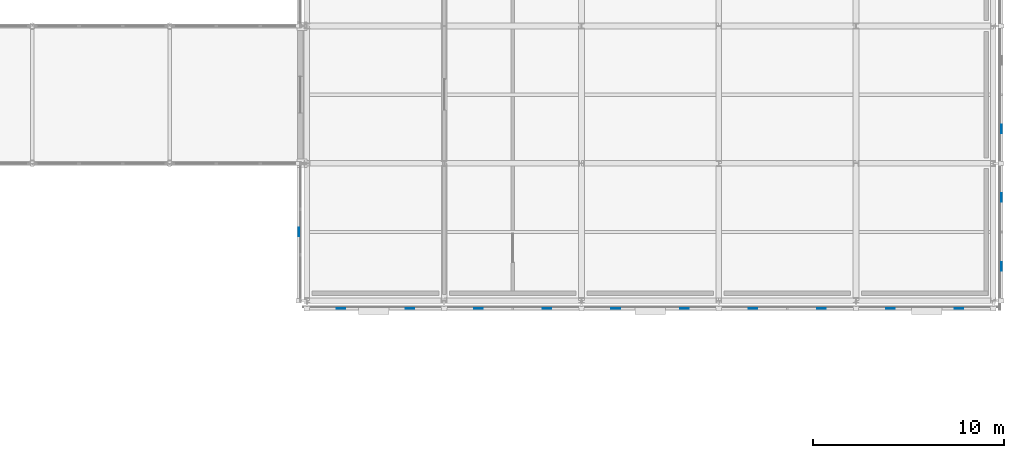
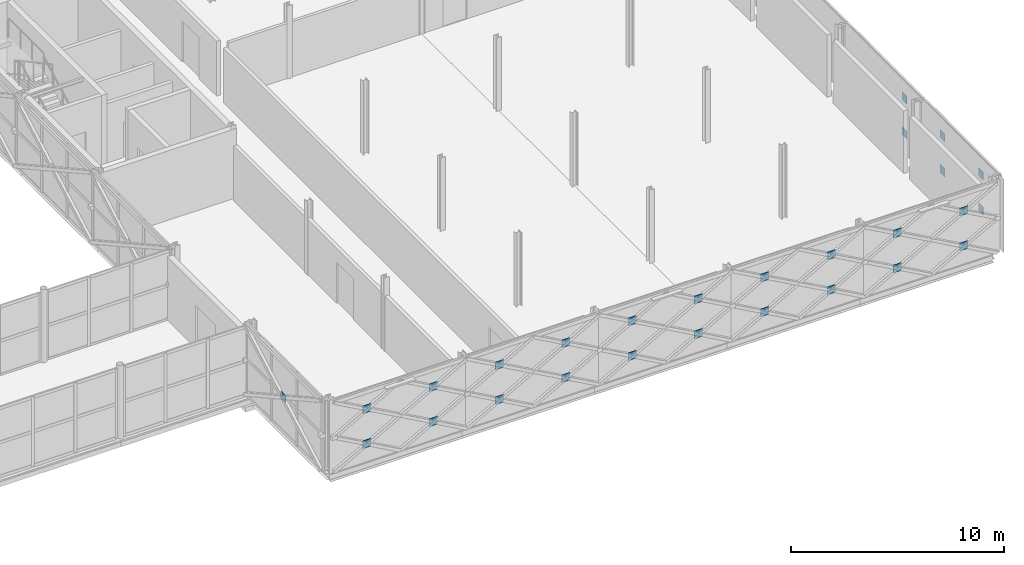
# One storey, part 112 of 146: 27 plates.
"""IFC4 building model written with IfcOpenShell, lengths in metres."""

from ifc_helpers import new_model, si_unit, direction, frame, origin, origin_2d, place, context, subcontext, project, spatial, rectangle, extrude, material, layer, layer_set, type_object, element, save


model = new_model("IFC4")

# Units and contexts
model_context = context("Model", 3, precision=1e-05, world=origin(), true_north=direction((0.0, 1.0)))
body_context = subcontext(model_context, "Body", "Model", "MODEL_VIEW")
ifc_project = project(units=[si_unit("LENGTHUNIT", "METRE"), si_unit("AREAUNIT", "SQUARE_METRE"), si_unit("VOLUMEUNIT", "CUBIC_METRE"), si_unit("PLANEANGLEUNIT", "RADIAN"), si_unit("MASSUNIT", "GRAM", prefix="KILO")], contexts=[model_context])

# Site, building, storey
site_placement = place(None, origin())
site = spatial("IfcSite", under=ifc_project, at=site_placement, CompositionType="ELEMENT")
building_placement = place(site_placement, origin())
building = spatial("IfcBuilding", under=site, at=building_placement, Name="Zlatovets Crest Museum", CompositionType="ELEMENT")
storey_placement = place(building_placement, frame((0.0, 0.0, 4.5)))
storey = spatial("IfcBuildingStorey", under=building, at=storey_placement, Name="L01", CompositionType="ELEMENT", Elevation=4.5)

# Plates
ifc_material = material(Name="Structural steel S355J2", Category="steel")
ifc_layer = layer(ifc_material, 0.02001953125)
ifc_layer_set = layer_set([ifc_layer], Name="Structural steel S355J2")
plate_type = type_object("IfcPlateType", Name="Gusset_GP-04", PredefinedType="USERDEFINED", material=ifc_layer_set)
for number, where, z_axis, x_axis, name in (
    (1, (131.39990234375, 13.97998046875, 0.875), (0.0, 0.0, 1.0), (1.0, 0.0, 0.0), "X-Brace Crossing Node Gusset Plate GP-04"),
    (2, (135.0, 13.97998046875, 0.875), (0.0, 0.0, 1.0), (1.0, 0.0, 0.0), "X-Brace Crossing Node Gusset Plate GP-04"),
    (3, (131.39990234375, 13.97998046875, 2.875), (0.0, 0.0, 1.0), (1.0, 0.0, 0.0), "X-Brace Crossing Node Gusset Plate GP-04"),
    (4, (135.0, 13.97998046875, 2.875), (0.0, 0.0, 1.0), (1.0, 0.0, 0.0), "X-Brace Crossing Node Gusset Plate GP-04"),
    (5, (138.60009765625, 13.97998046875, 0.875), (0.0, 0.0, 1.0), (1.0, 0.0, 0.0), "X-Brace Crossing Node Gusset Plate GP-04"),
    (6, (142.199951171875, 13.97998046875, 0.875), (0.0, 0.0, 1.0), (1.0, 0.0, 0.0), "X-Brace Crossing Node Gusset Plate GP-04"),
    (7, (138.60009765625, 13.97998046875, 2.875), (0.0, 0.0, 1.0), (1.0, 0.0, 0.0), "X-Brace Crossing Node Gusset Plate GP-04"),
    (8, (142.199951171875, 13.97998046875, 2.875), (0.0, 0.0, 1.0), (1.0, 0.0, 0.0), "X-Brace Crossing Node Gusset Plate GP-04"),
    (9, (145.800048828125, 13.97998046875, 0.875), (0.0, 0.0, 1.0), (1.0, 0.0, 0.0), "X-Brace Crossing Node Gusset Plate GP-04"),
    (10, (149.39990234375, 13.97998046875, 0.875), (0.0, 0.0, 1.0), (1.0, 0.0, 0.0), "X-Brace Crossing Node Gusset Plate GP-04"),
    (11, (145.800048828125, 13.97998046875, 2.875), (0.0, 0.0, 1.0), (1.0, 0.0, 0.0), "X-Brace Crossing Node Gusset Plate GP-04"),
    (12, (149.39990234375, 13.97998046875, 2.875), (0.0, 0.0, 1.0), (1.0, 0.0, 0.0), "X-Brace Crossing Node Gusset Plate GP-04"),
    (13, (153.0, 13.97998046875, 0.875), (0.0, 0.0, 1.0), (1.0, 0.0, 0.0), "X-Brace Crossing Node Gusset Plate GP-04"),
    (14, (156.60009765625, 13.97998046875, 0.875), (0.0, 0.0, 1.0), (1.0, 0.0, 0.0), "X-Brace Crossing Node Gusset Plate GP-04"),
    (15, (153.0, 13.97998046875, 2.875), (0.0, 0.0, 1.0), (1.0, 0.0, 0.0), "X-Brace Crossing Node Gusset Plate GP-04"),
    (16, (156.60009765625, 13.97998046875, 2.875), (0.0, 0.0, 1.0), (1.0, 0.0, 0.0), "X-Brace Crossing Node Gusset Plate GP-04"),
    (17, (160.199951171875, 13.97998046875, 0.875), (0.0, 0.0, 1.0), (1.0, 0.0, 0.0), "X-Brace Crossing Node Gusset Plate GP-04"),
    (18, (163.800048828125, 13.97998046875, 0.875), (0.0, 0.0, 1.0), (1.0, 0.0, 0.0), "X-Brace Crossing Node Gusset Plate GP-04"),
    (19, (160.199951171875, 13.97998046875, 2.875), (0.0, 0.0, 1.0), (1.0, 0.0, 0.0), "X-Brace Crossing Node Gusset Plate GP-04"),
    (20, (163.800048828125, 13.97998046875, 2.875), (0.0, 0.0, 1.0), (1.0, 0.0, 0.0), "X-Brace Crossing Node Gusset Plate GP-04"),
):
    element("IfcPlate", number, at=place(storey_placement, frame(where, z_axis=z_axis, x_axis=x_axis)), inside=storey, type_object=plate_type, Name=name, ObjectType="GUSSET", PredefinedType="USERDEFINED", context=body_context, shape_type="SweptSolid", body=[
        extrude(rectangle(XDim=0.449951171875, YDim=0.02001953125, at=origin_2d()), origin(), (0.0, 0.0, 1.0), 0.449951171875),
    ])
for number, where, z_axis, x_axis, name in (
    (21, (166.02001953125, 16.199951171875, 0.875), (0.0, 0.0, 1.0), (1.0, 0.0, 0.0), "X-Brace Crossing Node Gusset Plate GP-04"),
    (22, (166.02001953125, 19.800048828125, 0.875), (0.0, 0.0, 1.0), (1.0, 0.0, 0.0), "X-Brace Crossing Node Gusset Plate GP-04"),
    (23, (166.02001953125, 16.199951171875, 2.875), (0.0, 0.0, 1.0), (1.0, 0.0, 0.0), "X-Brace Crossing Node Gusset Plate GP-04"),
    (24, (166.02001953125, 19.800048828125, 2.875), (0.0, 0.0, 1.0), (1.0, 0.0, 0.0), "X-Brace Crossing Node Gusset Plate GP-04"),
    (25, (166.02001953125, 23.39990234375, 0.875), (0.0, 0.0, 1.0), (1.0, 0.0, 0.0), "X-Brace Crossing Node Gusset Plate GP-04"),
    (26, (166.02001953125, 23.39990234375, 2.875), (0.0, 0.0, 1.0), (1.0, 0.0, 0.0), "X-Brace Crossing Node Gusset Plate GP-04"),
    (27, (129.179931640625, 18.0, 1.875), (0.0, 0.0, 1.0), (1.0, 0.0, 0.0), "X-Brace Crossing Node Gusset Plate GP-04"),
):
    element("IfcPlate", number, at=place(storey_placement, frame(where, z_axis=z_axis, x_axis=x_axis)), inside=storey, type_object=plate_type, Name=name, ObjectType="GUSSET", PredefinedType="USERDEFINED", context=body_context, shape_type="SweptSolid", body=[
        extrude(rectangle(XDim=0.02001953125, YDim=0.449951171875, at=origin_2d()), origin(), (0.0, 0.0, 1.0), 0.449951171875),
    ])

save(model, "model.ifc")
